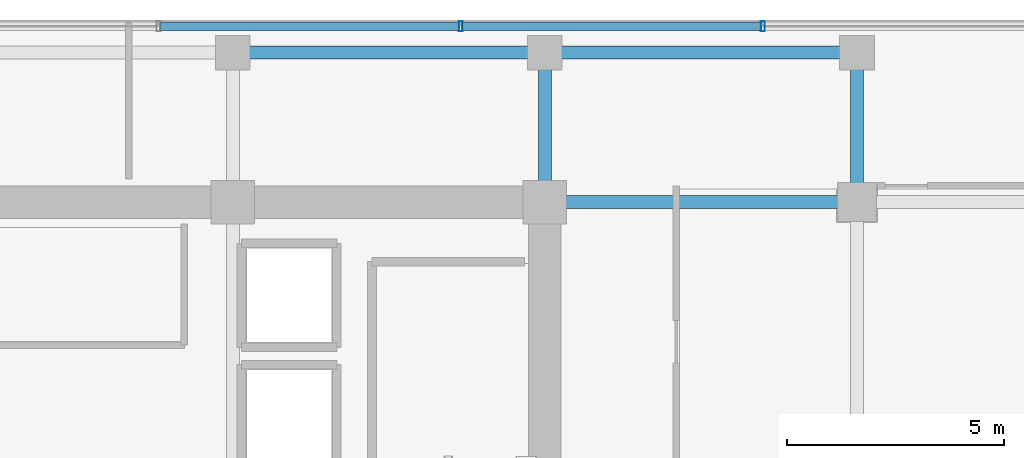
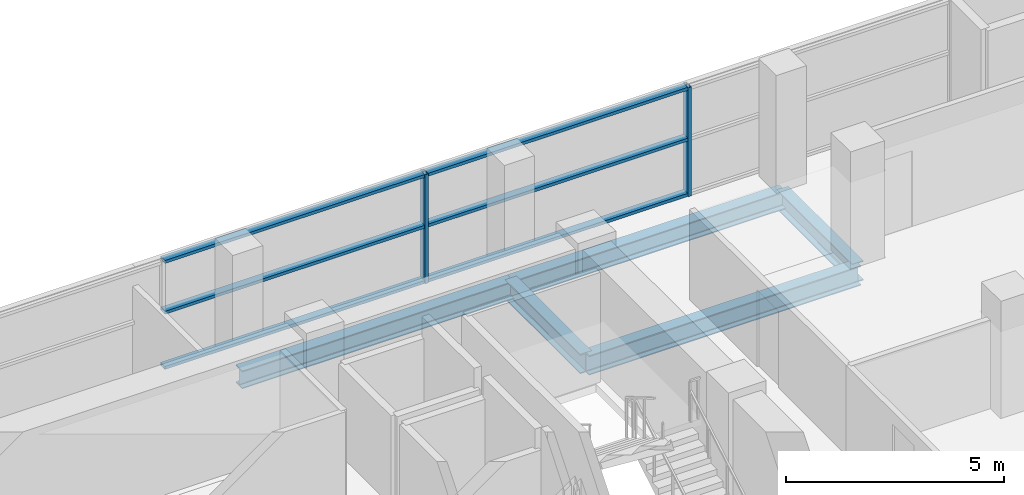
# One storey, part 12 of 23: 8 members, 5 beams, 1 element without a shape of its own.
"""IFC4 building model written with IfcOpenShell, lengths in metres."""

from ifc_helpers import new_model, si_unit, direction, frame, origin, origin_2d, place, context, subcontext, project, spatial, hollow_rectangle, i_section, extrude, source, transform, mapped, material, layer, layer_set, material_profile, profile_set, type_object, element, aggregate, save


model = new_model("IFC4")

# Units and contexts
model_context = context("Model", 3, precision=1e-05, world=origin(), true_north=direction((0.0, 1.0)))
body_context = subcontext(model_context, "Body", "Model", "MODEL_VIEW")
ifc_project = project(units=[si_unit("LENGTHUNIT", "METRE"), si_unit("AREAUNIT", "SQUARE_METRE"), si_unit("VOLUMEUNIT", "CUBIC_METRE"), si_unit("PLANEANGLEUNIT", "RADIAN"), si_unit("MASSUNIT", "GRAM", prefix="KILO")], contexts=[model_context])

# Site, building, storey
site_placement = place(None, origin())
site = spatial("IfcSite", under=ifc_project, at=site_placement, CompositionType="ELEMENT")
building_placement = place(site_placement, origin())
building = spatial("IfcBuilding", under=site, at=building_placement, Name="Zarnakvel Exchange Tower", CompositionType="ELEMENT")
storey_placement = place(building_placement, frame((0.0, 0.0, 123.10009765625)))
storey = spatial("IfcBuildingStorey", under=building, at=storey_placement, Name="L34", CompositionType="ELEMENT", Elevation=123.10009765625)

# Beams
ifc_material_1 = material(Name="Steel S355", Category="steel")
ifc_material_profile_1 = material_profile(ifc_material_1, i_section(OverallWidth=0.300048828125, OverallDepth=0.550048828125, WebThickness=0.014892578125, FlangeThickness=0.029052734375, FilletRadius=0.027099609375, at=origin_2d()))
ifc_profile_set_1 = profile_set([ifc_material_profile_1], Name="Steel S355")
beam_type_1 = type_object("IfcBeamType", Name="G-05", PredefinedType="BEAM", material=ifc_profile_set_1)
beam_1_placement = place(storey_placement, frame((14.39990234375, 13.5, -0.5), z_axis=(1.0, 0.0, 0.0), x_axis=(0.0, 1.0, 0.0)))
element("IfcBeam", 1, at=beam_1_placement, inside=storey, type_object=beam_type_1, Name="L34 Tower E-W Frame Beam", PredefinedType="BEAM", context=body_context, shape_type="SweptSolid", body=[
    extrude(i_section(OverallWidth=0.300048828125, OverallDepth=0.550048828125, WebThickness=0.014892578125, FlangeThickness=0.029052734375, FilletRadius=0.027099609375, at=origin_2d()), origin(), (0.0, 0.0, 1.0), 7.2001953125),
])
for number, where, z_axis, x_axis, name in (
    (2, (14.39990234375, 13.5, -0.5), (0.0, 1.0, 0.0), (-1.0, 0.0, 0.0), "L34 Tower N-S Frame Beam"),
    (3, (21.60009765625, 13.5, -0.5), (0.0, 1.0, 0.0), (-1.0, 0.0, 0.0), "L34 Tower N-S Frame Beam"),
):
    element("IfcBeam", number, at=place(storey_placement, frame(where, z_axis=z_axis, x_axis=x_axis)), inside=storey, type_object=beam_type_1, Name=name, PredefinedType="BEAM", context=body_context, shape_type="SweptSolid", body=[
        extrude(i_section(OverallWidth=0.300048828125, OverallDepth=0.550048828125, WebThickness=0.014892578125, FlangeThickness=0.029052734375, FilletRadius=0.027099609375, at=origin_2d()), origin(), (0.0, 0.0, 1.0), 3.449951171875),
    ])
ifc_material_profile_2 = material_profile(ifc_material_1, i_section(OverallWidth=0.300048828125, OverallDepth=0.5, WebThickness=0.014404296875, FlangeThickness=0.028076171875, FilletRadius=0.027099609375, at=origin_2d()))
ifc_profile_set_2 = profile_set([ifc_material_profile_2], Name="Steel S355")
beam_type_2 = type_object("IfcBeamType", Name="SP-02", PredefinedType="SPANDREL", material=ifc_profile_set_2)
beam_2_placement = place(storey_placement, frame((7.199951171875, 16.949951171875, -0.47509765625), z_axis=(1.0, 0.0, 0.0), x_axis=(0.0, 1.0, 0.0)))
element("IfcBeam", 4, at=beam_2_placement, inside=storey, type_object=beam_type_2, Name="L34 Tower E-W Frame Beam", PredefinedType="SPANDREL", context=body_context, shape_type="SweptSolid", body=[
    extrude(i_section(OverallWidth=0.300048828125, OverallDepth=0.5, WebThickness=0.014404296875, FlangeThickness=0.028076171875, FilletRadius=0.027099609375, at=origin_2d()), origin(), (0.0, 0.0, 1.0), 7.199951171875),
])
beam_3_placement = place(storey_placement, frame((14.39990234375, 16.949951171875, -0.47509765625), z_axis=(1.0, 0.0, 0.0), x_axis=(0.0, 1.0, 0.0)))
element("IfcBeam", 5, at=beam_3_placement, inside=storey, type_object=beam_type_2, Name="L34 Tower E-W Frame Beam", PredefinedType="SPANDREL", context=body_context, shape_type="SweptSolid", body=[
    extrude(i_section(OverallWidth=0.300048828125, OverallDepth=0.5, WebThickness=0.014404296875, FlangeThickness=0.028076171875, FilletRadius=0.027099609375, at=origin_2d()), origin(), (0.0, 0.0, 1.0), 7.2001953125),
])

# Curtain wall, members
ifc_material_2 = material(Name="Architectural Bronze Anodised Aluminium", Category="aluminium")
ifc_layer = layer(ifc_material_2, 0.239990234375)
ifc_layer_set = layer_set([ifc_layer], Name="Architectural Bronze Anodised Aluminium")
curtain_wall_type = type_object("IfcCurtainWallType", Name="CW-02", PredefinedType="NOTDEFINED", material=ifc_layer_set)
curtain_wall_placement = place(storey_placement, origin())
curtain_wall = element("IfcCurtainWall", 6, at=curtain_wall_placement, inside=storey, type_object=curtain_wall_type, Name="L34 Curtain Wall CW-L34-N1 (CW-02)", PredefinedType="NOTDEFINED")
ifc_material_profile_3 = material_profile(ifc_material_2, hollow_rectangle(XDim=0.239990234375, YDim=0.090087890625, WallThickness=0.006103515625, at=origin_2d()))
ifc_profile_set_3 = profile_set([ifc_material_profile_3], Name="Architectural Bronze Anodised Aluminium")
member_type_1 = type_object("IfcMemberType", Name="CWM-02", PredefinedType="MULLION", material=ifc_profile_set_3)
shared_shape_1 = source(origin(), body_context, "Body", "SweptSolid", [
    extrude(hollow_rectangle(XDim=0.239990234375, YDim=0.090087890625, WallThickness=0.006103515625, at=origin_2d()), origin(), (0.0, 0.0, 1.0), 3.054931640625),
])
member_1_placement = place(storey_placement, frame((12.45703125, 17.56005859375, 0.0), z_axis=(0.0, 0.0, 1.0), x_axis=(0.0, 1.0, 0.0)))
member_1 = element("IfcMember", 7, at=member_1_placement, type_object=member_type_1, Name="CW-02 mullion 6", PredefinedType="MULLION", context=body_context, shape_type="MappedRepresentation", body=[
    mapped(shared_shape_1, transform((0.0, 0.0, 0.0), x_axis=(1.0, 0.0, 0.0), y_axis=(0.0, 1.0, 0.0), z_axis=(0.0, 0.0, 1.0), scale=1.0)),
])
member_2_placement = place(storey_placement, frame((19.428466796875, 17.56005859375, 0.0), z_axis=(0.0, 0.0, 1.0), x_axis=(0.0, 1.0, 0.0)))
member_2 = element("IfcMember", 8, at=member_2_placement, type_object=member_type_1, Name="CW-02 mullion 7", PredefinedType="MULLION", context=body_context, shape_type="MappedRepresentation", body=[
    mapped(shared_shape_1, transform((0.0, 0.0, 0.0), x_axis=(1.0, 0.0, 0.0), y_axis=(0.0, 1.0, 0.0), z_axis=(0.0, 0.0, 1.0), scale=1.0)),
])
ifc_material_profile_4 = material_profile(ifc_material_2, hollow_rectangle(XDim=0.199951171875, YDim=0.0849609375, WallThickness=0.0048828125, at=origin_2d()))
ifc_profile_set_4 = profile_set([ifc_material_profile_4], Name="Architectural Bronze Anodised Aluminium")
member_type_2 = type_object("IfcMemberType", Name="CWT-02", PredefinedType="USERDEFINED", material=ifc_profile_set_4)
shared_shape_2 = source(origin(), body_context, "Body", "SweptSolid", [
    extrude(hollow_rectangle(XDim=0.199951171875, YDim=0.0849609375, WallThickness=0.0048828125, at=origin_2d()), origin(), (0.0, 0.0, 1.0), 6.88134765625),
])
member_3_placement = place(storey_placement, frame((5.53076171875, 17.56005859375, 0.04248046875), z_axis=(1.0, 0.0, 0.0), x_axis=(0.0, 1.0, 0.0)))
member_3 = element("IfcMember", 9, at=member_3_placement, type_object=member_type_2, Name="CW-02 transom 5.1", ObjectType="TRANSOM", PredefinedType="USERDEFINED", context=body_context, shape_type="MappedRepresentation", body=[
    mapped(shared_shape_2, transform((0.0, 0.0, 0.0), x_axis=(1.0, 0.0, 0.0), y_axis=(0.0, 1.0, 0.0), z_axis=(0.0, 0.0, 1.0), scale=1.0)),
])
member_4_placement = place(storey_placement, frame((5.53076171875, 17.56005859375, 1.588623046875), z_axis=(1.0, 0.0, 0.0), x_axis=(0.0, 1.0, 0.0)))
member_4 = element("IfcMember", 10, at=member_4_placement, type_object=member_type_2, Name="CW-02 transom 5.2", ObjectType="TRANSOM", PredefinedType="USERDEFINED", context=body_context, shape_type="MappedRepresentation", body=[
    mapped(shared_shape_2, transform((0.0, 0.0, 0.0), x_axis=(1.0, 0.0, 0.0), y_axis=(0.0, 1.0, 0.0), z_axis=(0.0, 0.0, 1.0), scale=1.0)),
])
member_5_placement = place(storey_placement, frame((5.53076171875, 17.56005859375, 3.012451171875), z_axis=(1.0, 0.0, 0.0), x_axis=(0.0, 1.0, 0.0)))
member_5 = element("IfcMember", 11, at=member_5_placement, type_object=member_type_2, Name="CW-02 transom 5.3", ObjectType="TRANSOM", PredefinedType="USERDEFINED", context=body_context, shape_type="MappedRepresentation", body=[
    mapped(shared_shape_2, transform((0.0, 0.0, 0.0), x_axis=(1.0, 0.0, 0.0), y_axis=(0.0, 1.0, 0.0), z_axis=(0.0, 0.0, 1.0), scale=1.0)),
])
member_6_placement = place(storey_placement, frame((12.502197265625, 17.56005859375, 0.04248046875), z_axis=(1.0, 0.0, 0.0), x_axis=(0.0, 1.0, 0.0)))
member_6 = element("IfcMember", 12, at=member_6_placement, type_object=member_type_2, Name="CW-02 transom 6.1", ObjectType="TRANSOM", PredefinedType="USERDEFINED", context=body_context, shape_type="MappedRepresentation", body=[
    mapped(shared_shape_2, transform((0.0, 0.0, 0.0), x_axis=(1.0, 0.0, 0.0), y_axis=(0.0, 1.0, 0.0), z_axis=(0.0, 0.0, 1.0), scale=1.0)),
])
member_7_placement = place(storey_placement, frame((12.502197265625, 17.56005859375, 1.588623046875), z_axis=(1.0, 0.0, 0.0), x_axis=(0.0, 1.0, 0.0)))
member_7 = element("IfcMember", 13, at=member_7_placement, type_object=member_type_2, Name="CW-02 transom 6.2", ObjectType="TRANSOM", PredefinedType="USERDEFINED", context=body_context, shape_type="MappedRepresentation", body=[
    mapped(shared_shape_2, transform((0.0, 0.0, 0.0), x_axis=(1.0, 0.0, 0.0), y_axis=(0.0, 1.0, 0.0), z_axis=(0.0, 0.0, 1.0), scale=1.0)),
])
member_8_placement = place(storey_placement, frame((12.502197265625, 17.56005859375, 3.012451171875), z_axis=(1.0, 0.0, 0.0), x_axis=(0.0, 1.0, 0.0)))
member_8 = element("IfcMember", 14, at=member_8_placement, type_object=member_type_2, Name="CW-02 transom 6.3", ObjectType="TRANSOM", PredefinedType="USERDEFINED", context=body_context, shape_type="MappedRepresentation", body=[
    mapped(shared_shape_2, transform((0.0, 0.0, 0.0), x_axis=(1.0, 0.0, 0.0), y_axis=(0.0, 1.0, 0.0), z_axis=(0.0, 0.0, 1.0), scale=1.0)),
])
aggregate(curtain_wall, [member_1, member_2, member_3, member_4, member_5, member_6, member_7, member_8])

save(model, "model.ifc")
